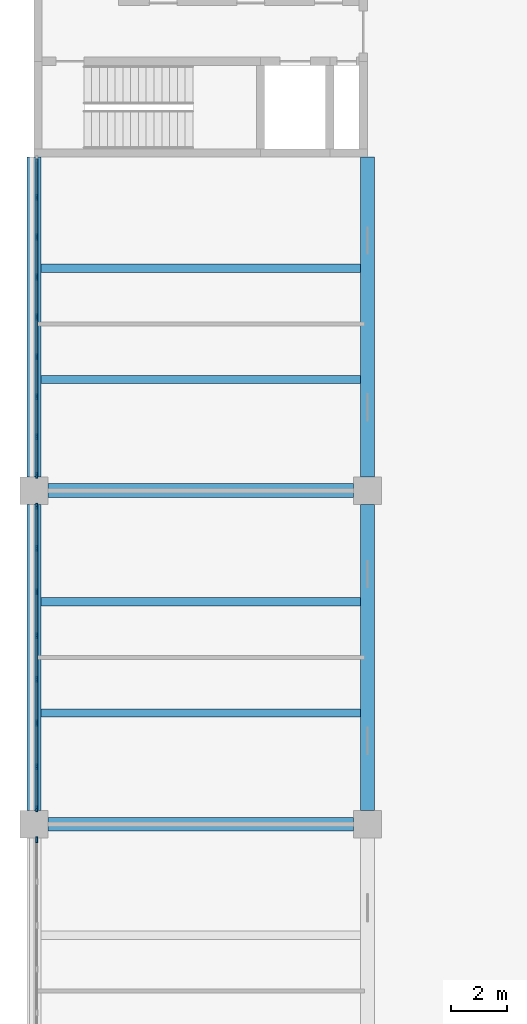
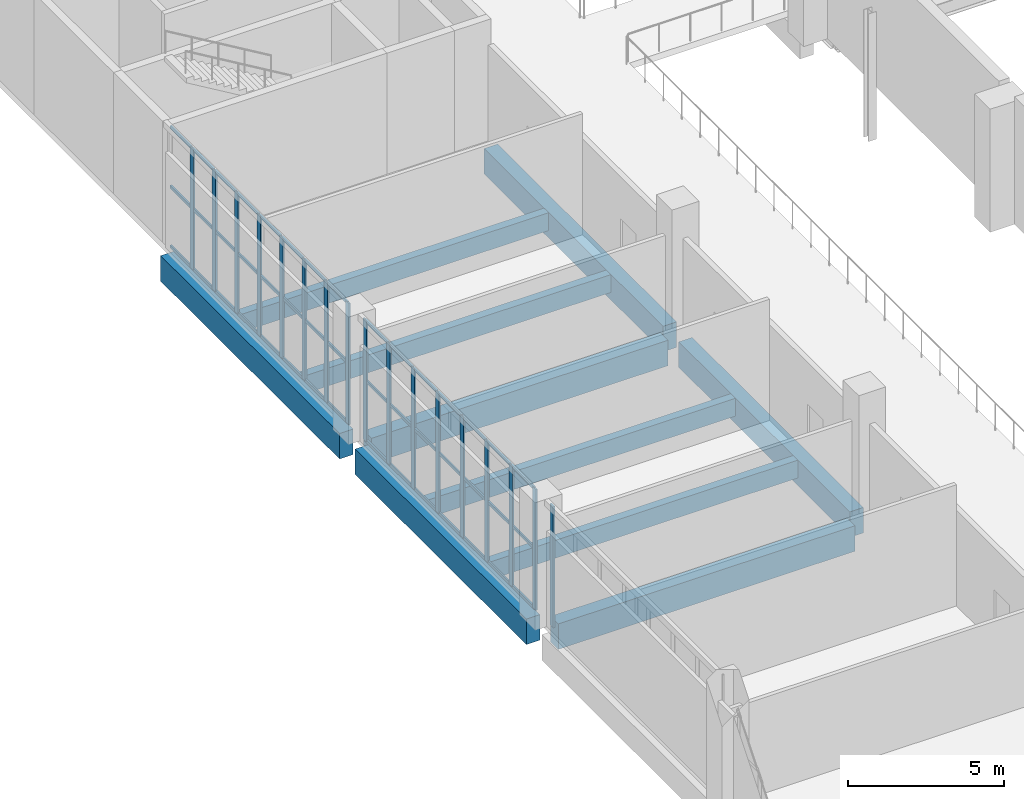
# One storey, part 21 of 69: 62 members, 10 beams, 3 elements without a shape of their own.
"""IFC4 building model written with IfcOpenShell, lengths in metres."""

import ifcopenshell
import ifcopenshell.guid

model = None  # the IFC model being written
_history = None  # IfcOwnerHistory: only IFC2X3 demands one
_inside = {}  # id of a spatial element -> (the spatial element, [elements in it])
_under = {}  # id of a project, library or spatial element -> (it, [spatial elements below it])
_declared = {}  # id of a project -> (the project, [libraries it declares])
_typed = {}  # id of a type object -> (the type object, [elements of that type])
_made_of = {}  # id of a material, layer set ... -> (it, [elements and type objects made of it])


def new_model(schema):
    """Start an empty IFC model of exactly this schema.

    Asked for "IFC4X3", IfcOpenShell would pick the latest addendum, in which some entities
    have other attributes; the version numbers below select the first issue.
    IFC2X3 requires an IfcOwnerHistory on every rooted entity: one is made here for all.
    """
    global model, _history
    if schema == "IFC4X3":
        model = ifcopenshell.file(schema_version=(4, 3, 0, 0))
    else:
        model = ifcopenshell.file(schema=schema)
    _inside.clear()
    _under.clear()
    _declared.clear()
    _typed.clear()
    _made_of.clear()
    _history = None
    if model.schema == "IFC2X3":
        org = make("IfcOrganization", Name="unknown")
        user = make(
            "IfcPersonAndOrganization",
            ThePerson=make("IfcPerson", FamilyName="unknown"),
            TheOrganization=org,
        )
        app = make(
            "IfcApplication",
            ApplicationDeveloper=org,
            Version="unknown",
            ApplicationFullName="unknown",
            ApplicationIdentifier="unknown",
        )
        _history = make(
            "IfcOwnerHistory",
            OwningUser=user,
            OwningApplication=app,
            ChangeAction="ADDED",
            CreationDate=0,
        )
    return model


def make(cls, **values):
    """One entity of the class cls with the attributes given. An attribute that is None is left unset."""
    return model.create_entity(
        cls, **{name: value for name, value in values.items() if value is not None}
    )


def rooted(cls, **values):
    """An entity with a GlobalId (a new one), such as an element, a storey or a relation."""
    return make(cls, GlobalId=ifcopenshell.guid.new(), OwnerHistory=_history, **values)


def si_unit(unit_type, name, prefix=None):
    """IfcSIUnit, for example si_unit("LENGTHUNIT", "METRE", prefix="MILLI")."""
    return make("IfcSIUnit", UnitType=unit_type, Prefix=prefix, Name=name)


def assignment(units):
    """IfcUnitAssignment: the units of a project."""
    return None if units is None else make("IfcUnitAssignment", Units=units)


def point(xyz):
    """IfcCartesianPoint."""
    return None if xyz is None else make("IfcCartesianPoint", Coordinates=xyz)


def direction(xyz):
    """IfcDirection."""
    return None if xyz is None else make("IfcDirection", DirectionRatios=xyz)


def frame(location, z_axis=None, x_axis=None):
    """IfcAxis2Placement3D, a coordinate frame: its origin and axes. An axis left out is left unset."""
    return make(
        "IfcAxis2Placement3D",
        Location=point(location),
        Axis=direction(z_axis),
        RefDirection=direction(x_axis),
    )


def frame_2d(location, x_axis=None):
    """IfcAxis2Placement2D, a coordinate frame in the plane: its origin and x axis."""
    return make(
        "IfcAxis2Placement2D", Location=point(location), RefDirection=direction(x_axis)
    )


def origin():
    """The frame at (0, 0, 0) with its axes left unset."""
    return frame((0.0, 0.0, 0.0))


def origin_2d():
    """The frame at (0, 0) in the plane with its x axis left unset."""
    return frame_2d((0.0, 0.0))


def place(relative_to, where):
    """IfcLocalPlacement: puts the frame where relative to a parent placement (None: the world)."""
    return make(
        "IfcLocalPlacement", PlacementRelTo=relative_to, RelativePlacement=where
    )


def context(
    kind, dimensions, precision=None, world=None, true_north=None, identifier=None
):
    """IfcGeometricRepresentationContext, for example the 3D "Model" context."""
    return make(
        "IfcGeometricRepresentationContext",
        ContextIdentifier=identifier,
        ContextType=kind,
        CoordinateSpaceDimension=dimensions,
        Precision=precision,
        WorldCoordinateSystem=world,
        TrueNorth=true_north,
    )


def subcontext(parent, identifier, kind, view, scale=None):
    """IfcGeometricRepresentationSubContext, for example "Body" below "Model"."""
    return make(
        "IfcGeometricRepresentationSubContext",
        ContextIdentifier=identifier,
        ContextType=kind,
        ParentContext=parent,
        TargetScale=scale,
        TargetView=view,
    )


def project(units=None, contexts=None):
    """IfcProject with its units and contexts."""
    return rooted(
        "IfcProject",
        Name="project",
        RepresentationContexts=contexts,
        UnitsInContext=assignment(units),
    )


def spatial(cls, under=None, at=None, **own):
    """A site, building, storey or space (cls), placed at a placement, below another one or the project."""
    s = rooted(cls, ObjectPlacement=at, **own)
    if under is not None:
        _under.setdefault(under.id(), (under, []))[1].append(s)
    return s


def profile(cls, at=None, kind="AREA", **sizes):
    """A parametric profile (cls). Its sizes go by their IFC names, for example OverallWidth=200.0."""
    return make(cls, ProfileType=kind, Position=at, **sizes)


def rectangle(**sizes):
    """IfcRectangleProfileDef."""
    return profile("IfcRectangleProfileDef", **sizes)


def extrude(swept, where, along, depth):
    """IfcExtrudedAreaSolid: the profile swept, set in the frame where, extruded along a direction by depth."""
    return make(
        "IfcExtrudedAreaSolid",
        SweptArea=swept,
        Position=where,
        ExtrudedDirection=direction(along),
        Depth=depth,
    )


def shape(context_of_items, identifier, shape_type, items):
    """IfcShapeRepresentation: the items that make up one representation, for example the "Body"."""
    return make(
        "IfcShapeRepresentation",
        ContextOfItems=context_of_items,
        RepresentationIdentifier=identifier,
        RepresentationType=shape_type,
        Items=items,
    )


def material(Name=None, Category=None):
    """IfcMaterial."""
    return make("IfcMaterial", Name=Name, Category=Category)


def layer(
    of_material, thickness, ventilated=None, Name=None, Category=None, Priority=None
):
    """IfcMaterialLayer: one layer of a wall or slab, of a material (None: an air gap)."""
    return make(
        "IfcMaterialLayer",
        Material=of_material,
        LayerThickness=thickness,
        IsVentilated=ventilated,
        Name=Name,
        Category=Category,
        Priority=Priority,
    )


def layer_set(layers, Name=None):
    """IfcMaterialLayerSet."""
    return make("IfcMaterialLayerSet", MaterialLayers=layers, LayerSetName=Name)


def material_profile(
    of_material, cross_section, Name=None, Category=None, Priority=None
):
    """IfcMaterialProfile: a cross section and its material."""
    return make(
        "IfcMaterialProfile",
        Name=Name,
        Material=of_material,
        Profile=cross_section,
        Priority=Priority,
        Category=Category,
    )


def profile_set(profiles, Name=None, composite=None):
    """IfcMaterialProfileSet."""
    return make(
        "IfcMaterialProfileSet",
        Name=Name,
        MaterialProfiles=profiles,
        CompositeProfile=composite,
    )


def made_of(thing, what):
    """Note that an element or type object is made of a material, layer set ...; save() writes the relation."""
    if what is not None:
        _made_of.setdefault(what.id(), (what, []))[1].append(thing)
    return thing


def type_object(cls, material=None, **own):
    """A type object (cls), such as IfcWallType, which elements share."""
    return made_of(rooted(cls, **own), material)


def element(
    cls,
    number,
    at=None,
    inside=None,
    cuts=None,
    type_object=None,
    material=None,
    context=None,
    identifier="Body",
    shape_type=None,
    held_by="IfcProductDefinitionShape",
    body=None,
    shapes=None,
    **own,
):
    """One element of the class cls, such as IfcWall. Its Tag is "e" and its number.

    at: its placement. inside: the storey or other place that contains it. cuts: it is an
    opening in that element (IfcRelVoidsElement). A single representation is given by context,
    identifier, shape_type and body (its items); several are given by shapes. held_by: the class
    of the entity that holds the representations. save() writes the other relations.
    """
    e = rooted(cls, Tag="e%d" % number, ObjectPlacement=at, **own)
    if body is not None:
        shapes = [shape(context, identifier, shape_type, body)]
    if shapes is not None:
        e.Representation = make(held_by, Representations=shapes)
    if inside is not None:
        _inside.setdefault(inside.id(), (inside, []))[1].append(e)
    if cuts is not None:
        rooted(
            "IfcRelVoidsElement", RelatingBuildingElement=cuts, RelatedOpeningElement=e
        )
    if type_object is not None:
        _typed.setdefault(type_object.id(), (type_object, []))[1].append(e)
    return made_of(e, material)


def aggregate(whole, parts):
    """IfcRelAggregates: a whole, such as a stair, and the parts it consists of."""
    return rooted("IfcRelAggregates", RelatingObject=whole, RelatedObjects=parts)


def save(model, path):
    """Write the relations noted so far, then the file.

    IfcRelAggregates (storeys below a building ...), IfcRelContainedInSpatialStructure (elements
    in a storey), IfcRelDefinesByType, IfcRelAssociatesMaterial and IfcRelDeclares: one each for
    every whole, place, type object, material and project.
    """
    for whole, parts in _under.values():
        aggregate(whole, parts)
    for where, things in _inside.values():
        rooted(
            "IfcRelContainedInSpatialStructure",
            RelatedElements=things,
            RelatingStructure=where,
        )
    for kind, things in _typed.values():
        rooted("IfcRelDefinesByType", RelatedObjects=things, RelatingType=kind)
    for what, things in _made_of.values():
        rooted("IfcRelAssociatesMaterial", RelatedObjects=things, RelatingMaterial=what)
    for by, libraries in _declared.values():
        rooted("IfcRelDeclares", RelatingContext=by, RelatedDefinitions=libraries)
    model.write(path)


model = new_model("IFC4")

# Units and contexts
model_context = context("Model", 3, precision=1e-05, world=origin(), true_north=direction((0.0, 1.0)))
body_context = subcontext(model_context, "Body", "Model", "MODEL_VIEW")
ifc_project = project(units=[si_unit("LENGTHUNIT", "METRE"), si_unit("AREAUNIT", "SQUARE_METRE"), si_unit("VOLUMEUNIT", "CUBIC_METRE"), si_unit("PLANEANGLEUNIT", "RADIAN"), si_unit("MASSUNIT", "GRAM", prefix="KILO")], contexts=[model_context])

# Site, building, storey
site_placement = place(None, origin())
site = spatial("IfcSite", under=ifc_project, at=site_placement, CompositionType="ELEMENT")
building_placement = place(site_placement, origin())
building = spatial("IfcBuilding", under=site, at=building_placement, Name="Lilac Gate Convention Centre", CompositionType="ELEMENT")
storey_placement = place(building_placement, frame((0.0, 0.0, 12.0)))
storey = spatial("IfcBuildingStorey", under=building, at=storey_placement, Name="L02", CompositionType="ELEMENT", Elevation=12.0)

# Curtain wall, members
ifc_material_1 = material(Name="Aluminium framed double glazing", Category="aluminium")
ifc_layer = layer(ifc_material_1, 0.199951171875)
ifc_layer_set = layer_set([ifc_layer], Name="Aluminium framed double glazing")
curtain_wall_type = type_object("IfcCurtainWallType", Name="Unitised curtain wall 1500", PredefinedType="NOTDEFINED", material=ifc_layer_set)
curtain_wall_1_placement = place(storey_placement, origin())
curtain_wall_1 = element("IfcCurtainWall", 1, at=curtain_wall_1_placement, inside=storey, type_object=curtain_wall_type, Name="Curtain wall PW L02 5", PredefinedType="NOTDEFINED")
ifc_material_2 = material(Name="Aluminium alloy 6063", Category="aluminium")
ifc_material_profile_1 = material_profile(ifc_material_2, rectangle(XDim=0.06005859375, YDim=0.219970703125, at=origin_2d()), Name="Curtain wall mullion 60 x 220")
ifc_profile_set_1 = profile_set([ifc_material_profile_1], Name="Aluminium alloy 6063")
member_type_1 = type_object("IfcMemberType", Name="Curtain wall mullion 60 x 220", PredefinedType="MULLION", material=ifc_profile_set_1)
member_1_placement = place(storey_placement, frame((6.10009765625, 148.5625, 0.0), z_axis=(0.0, 0.0, 1.0), x_axis=(1.0, 0.0, 0.0)))
member_1 = element("IfcMember", 2, at=member_1_placement, type_object=member_type_1, Name="CW mullion 2", PredefinedType="MULLION", context=body_context, shape_type="SweptSolid", body=[
    extrude(rectangle(XDim=0.06005859375, YDim=0.219970703125, at=origin_2d()), origin(), (0.0, 0.0, 1.0), 4.75),
])
member_2_placement = place(storey_placement, frame((6.10009765625, 147.125, 0.0), z_axis=(0.0, 0.0, 1.0), x_axis=(1.0, 0.0, 0.0)))
member_2 = element("IfcMember", 3, at=member_2_placement, type_object=member_type_1, Name="CW mullion 3", PredefinedType="MULLION", context=body_context, shape_type="SweptSolid", body=[
    extrude(rectangle(XDim=0.06005859375, YDim=0.219970703125, at=origin_2d()), origin(), (0.0, 0.0, 1.0), 4.75),
])
member_3_placement = place(storey_placement, frame((6.10009765625, 145.6875, 0.0), z_axis=(0.0, 0.0, 1.0), x_axis=(1.0, 0.0, 0.0)))
member_3 = element("IfcMember", 4, at=member_3_placement, type_object=member_type_1, Name="CW mullion 4", PredefinedType="MULLION", context=body_context, shape_type="SweptSolid", body=[
    extrude(rectangle(XDim=0.06005859375, YDim=0.219970703125, at=origin_2d()), origin(), (0.0, 0.0, 1.0), 4.75),
])
member_4_placement = place(storey_placement, frame((6.10009765625, 144.25, 0.0), z_axis=(0.0, 0.0, 1.0), x_axis=(1.0, 0.0, 0.0)))
member_4 = element("IfcMember", 5, at=member_4_placement, type_object=member_type_1, Name="CW mullion 5", PredefinedType="MULLION", context=body_context, shape_type="SweptSolid", body=[
    extrude(rectangle(XDim=0.06005859375, YDim=0.219970703125, at=origin_2d()), origin(), (0.0, 0.0, 1.0), 4.75),
])
member_5_placement = place(storey_placement, frame((6.10009765625, 142.8125, 0.0), z_axis=(0.0, 0.0, 1.0), x_axis=(1.0, 0.0, 0.0)))
member_5 = element("IfcMember", 6, at=member_5_placement, type_object=member_type_1, Name="CW mullion 6", PredefinedType="MULLION", context=body_context, shape_type="SweptSolid", body=[
    extrude(rectangle(XDim=0.06005859375, YDim=0.219970703125, at=origin_2d()), origin(), (0.0, 0.0, 1.0), 4.75),
])
member_6_placement = place(storey_placement, frame((6.10009765625, 141.375, 0.0), z_axis=(0.0, 0.0, 1.0), x_axis=(1.0, 0.0, 0.0)))
member_6 = element("IfcMember", 7, at=member_6_placement, type_object=member_type_1, Name="CW mullion 7", PredefinedType="MULLION", context=body_context, shape_type="SweptSolid", body=[
    extrude(rectangle(XDim=0.06005859375, YDim=0.219970703125, at=origin_2d()), origin(), (0.0, 0.0, 1.0), 4.75),
])
member_7_placement = place(storey_placement, frame((6.10009765625, 139.9375, 0.0), z_axis=(0.0, 0.0, 1.0), x_axis=(1.0, 0.0, 0.0)))
member_7 = element("IfcMember", 8, at=member_7_placement, type_object=member_type_1, Name="CW mullion 8", PredefinedType="MULLION", context=body_context, shape_type="SweptSolid", body=[
    extrude(rectangle(XDim=0.06005859375, YDim=0.219970703125, at=origin_2d()), origin(), (0.0, 0.0, 1.0), 4.75),
])
member_8_placement = place(storey_placement, frame((6.10009765625, 138.56005859375, 0.0), z_axis=(0.0, 0.0, 1.0), x_axis=(1.0, 0.0, 0.0)))
member_8 = element("IfcMember", 9, at=member_8_placement, type_object=member_type_1, Name="CW mullion 9", PredefinedType="MULLION", context=body_context, shape_type="SweptSolid", body=[
    extrude(rectangle(XDim=0.06005859375, YDim=0.219970703125, at=origin_2d()), origin(), (0.0, 0.0, 1.0), 4.75),
])

curtain_wall_2_placement = place(storey_placement, origin())
curtain_wall_2 = element("IfcCurtainWall", 10, at=curtain_wall_2_placement, inside=storey, type_object=curtain_wall_type, Name="Curtain wall PW L02 6", PredefinedType="NOTDEFINED")
member_9_placement = place(storey_placement, frame((6.10009765625, 137.43994140625, 0.0), z_axis=(0.0, 0.0, 1.0), x_axis=(1.0, 0.0, 0.0)))
member_9 = element("IfcMember", 11, at=member_9_placement, type_object=member_type_1, Name="CW mullion 1", PredefinedType="MULLION", context=body_context, shape_type="SweptSolid", body=[
    extrude(rectangle(XDim=0.06005859375, YDim=0.219970703125, at=origin_2d()), origin(), (0.0, 0.0, 1.0), 4.75),
])
member_10_placement = place(storey_placement, frame((6.10009765625, 135.928466796875, 0.0), z_axis=(0.0, 0.0, 1.0), x_axis=(1.0, 0.0, 0.0)))
member_10 = element("IfcMember", 12, at=member_10_placement, type_object=member_type_1, Name="CW mullion 2", PredefinedType="MULLION", context=body_context, shape_type="SweptSolid", body=[
    extrude(rectangle(XDim=0.06005859375, YDim=0.219970703125, at=origin_2d()), origin(), (0.0, 0.0, 1.0), 4.75),
])
member_11_placement = place(storey_placement, frame((6.10009765625, 134.357177734375, 0.0), z_axis=(0.0, 0.0, 1.0), x_axis=(1.0, 0.0, 0.0)))
member_11 = element("IfcMember", 13, at=member_11_placement, type_object=member_type_1, Name="CW mullion 3", PredefinedType="MULLION", context=body_context, shape_type="SweptSolid", body=[
    extrude(rectangle(XDim=0.06005859375, YDim=0.219970703125, at=origin_2d()), origin(), (0.0, 0.0, 1.0), 4.75),
])
member_12_placement = place(storey_placement, frame((6.10009765625, 132.78564453125, 0.0), z_axis=(0.0, 0.0, 1.0), x_axis=(1.0, 0.0, 0.0)))
member_12 = element("IfcMember", 14, at=member_12_placement, type_object=member_type_1, Name="CW mullion 4", PredefinedType="MULLION", context=body_context, shape_type="SweptSolid", body=[
    extrude(rectangle(XDim=0.06005859375, YDim=0.219970703125, at=origin_2d()), origin(), (0.0, 0.0, 1.0), 4.75),
])
member_13_placement = place(storey_placement, frame((6.10009765625, 131.21435546875, 0.0), z_axis=(0.0, 0.0, 1.0), x_axis=(1.0, 0.0, 0.0)))
member_13 = element("IfcMember", 15, at=member_13_placement, type_object=member_type_1, Name="CW mullion 5", PredefinedType="MULLION", context=body_context, shape_type="SweptSolid", body=[
    extrude(rectangle(XDim=0.06005859375, YDim=0.219970703125, at=origin_2d()), origin(), (0.0, 0.0, 1.0), 4.75),
])
member_14_placement = place(storey_placement, frame((6.10009765625, 129.642822265625, 0.0), z_axis=(0.0, 0.0, 1.0), x_axis=(1.0, 0.0, 0.0)))
member_14 = element("IfcMember", 16, at=member_14_placement, type_object=member_type_1, Name="CW mullion 6", PredefinedType="MULLION", context=body_context, shape_type="SweptSolid", body=[
    extrude(rectangle(XDim=0.06005859375, YDim=0.219970703125, at=origin_2d()), origin(), (0.0, 0.0, 1.0), 4.75),
])
member_15_placement = place(storey_placement, frame((6.10009765625, 128.071533203125, 0.0), z_axis=(0.0, 0.0, 1.0), x_axis=(1.0, 0.0, 0.0)))
member_15 = element("IfcMember", 17, at=member_15_placement, type_object=member_type_1, Name="CW mullion 7", PredefinedType="MULLION", context=body_context, shape_type="SweptSolid", body=[
    extrude(rectangle(XDim=0.06005859375, YDim=0.219970703125, at=origin_2d()), origin(), (0.0, 0.0, 1.0), 4.75),
])
member_16_placement = place(storey_placement, frame((6.10009765625, 126.56005859375, 0.0), z_axis=(0.0, 0.0, 1.0), x_axis=(1.0, 0.0, 0.0)))
member_16 = element("IfcMember", 18, at=member_16_placement, type_object=member_type_1, Name="CW mullion 8", PredefinedType="MULLION", context=body_context, shape_type="SweptSolid", body=[
    extrude(rectangle(XDim=0.06005859375, YDim=0.219970703125, at=origin_2d()), origin(), (0.0, 0.0, 1.0), 4.75),
])

# Curtain wall, member
curtain_wall_3_placement = place(storey_placement, origin())
curtain_wall_3 = element("IfcCurtainWall", 19, at=curtain_wall_3_placement, inside=storey, type_object=curtain_wall_type, Name="Curtain wall PW L02 7", PredefinedType="NOTDEFINED")
member_17_placement = place(storey_placement, frame((6.10009765625, 125.43994140625, 0.0), z_axis=(0.0, 0.0, 1.0), x_axis=(1.0, 0.0, 0.0)))
member_17 = element("IfcMember", 20, at=member_17_placement, type_object=member_type_1, Name="CW mullion 1", PredefinedType="MULLION", context=body_context, shape_type="SweptSolid", body=[
    extrude(rectangle(XDim=0.06005859375, YDim=0.219970703125, at=origin_2d()), origin(), (0.0, 0.0, 1.0), 4.75),
])
aggregate(curtain_wall_3, [member_17])

# Member
ifc_material_profile_2 = material_profile(ifc_material_2, rectangle(XDim=0.06005859375, YDim=0.1201171875, at=origin_2d()), Name="Curtain wall transom 60 x 120")
ifc_profile_set_2 = profile_set([ifc_material_profile_2], Name="Aluminium alloy 6063")
member_type_2 = type_object("IfcMemberType", Name="Curtain wall transom 60 x 120", PredefinedType="USERDEFINED", material=ifc_profile_set_2)
member_18_placement = place(storey_placement, frame((6.10009765625, 149.93994140625, 0.030029296875), z_axis=(0.0, -1.0, 0.0), x_axis=(1.0, 0.0, 0.0)))
member_18 = element("IfcMember", 21, at=member_18_placement, type_object=member_type_2, Name="CW transom 1.1", ObjectType="TRANSOM", PredefinedType="USERDEFINED", context=body_context, shape_type="SweptSolid", body=[
    extrude(rectangle(XDim=0.06005859375, YDim=0.1201171875, at=origin_2d()), origin(), (0.0, 0.0, 1.0), 1.347412109375),
])

member_19_placement = place(storey_placement, frame((6.10009765625, 149.93994140625, 2.375), z_axis=(0.0, -1.0, 0.0), x_axis=(1.0, 0.0, 0.0)))
member_19 = element("IfcMember", 22, at=member_19_placement, type_object=member_type_2, Name="CW transom 1.2", ObjectType="TRANSOM", PredefinedType="USERDEFINED", context=body_context, shape_type="SweptSolid", body=[
    extrude(rectangle(XDim=0.06005859375, YDim=0.1201171875, at=origin_2d()), origin(), (0.0, 0.0, 1.0), 1.347412109375),
])

member_20_placement = place(storey_placement, frame((6.10009765625, 149.93994140625, 4.719970703125), z_axis=(0.0, -1.0, 0.0), x_axis=(1.0, 0.0, 0.0)))
member_20 = element("IfcMember", 23, at=member_20_placement, type_object=member_type_2, Name="CW transom 1.3", ObjectType="TRANSOM", PredefinedType="USERDEFINED", context=body_context, shape_type="SweptSolid", body=[
    extrude(rectangle(XDim=0.06005859375, YDim=0.1201171875, at=origin_2d()), origin(), (0.0, 0.0, 1.0), 1.347412109375),
])

member_21_placement = place(storey_placement, frame((6.10009765625, 148.532470703125, 0.030029296875), z_axis=(0.0, -1.0, 0.0), x_axis=(1.0, 0.0, 0.0)))
member_21 = element("IfcMember", 24, at=member_21_placement, type_object=member_type_2, Name="CW transom 2.1", ObjectType="TRANSOM", PredefinedType="USERDEFINED", context=body_context, shape_type="SweptSolid", body=[
    extrude(rectangle(XDim=0.06005859375, YDim=0.1201171875, at=origin_2d()), origin(), (0.0, 0.0, 1.0), 1.37744140625),
])

member_22_placement = place(storey_placement, frame((6.10009765625, 148.532470703125, 2.375), z_axis=(0.0, -1.0, 0.0), x_axis=(1.0, 0.0, 0.0)))
member_22 = element("IfcMember", 25, at=member_22_placement, type_object=member_type_2, Name="CW transom 2.2", ObjectType="TRANSOM", PredefinedType="USERDEFINED", context=body_context, shape_type="SweptSolid", body=[
    extrude(rectangle(XDim=0.06005859375, YDim=0.1201171875, at=origin_2d()), origin(), (0.0, 0.0, 1.0), 1.37744140625),
])

member_23_placement = place(storey_placement, frame((6.10009765625, 148.532470703125, 4.719970703125), z_axis=(0.0, -1.0, 0.0), x_axis=(1.0, 0.0, 0.0)))
member_23 = element("IfcMember", 26, at=member_23_placement, type_object=member_type_2, Name="CW transom 2.3", ObjectType="TRANSOM", PredefinedType="USERDEFINED", context=body_context, shape_type="SweptSolid", body=[
    extrude(rectangle(XDim=0.06005859375, YDim=0.1201171875, at=origin_2d()), origin(), (0.0, 0.0, 1.0), 1.37744140625),
])

member_24_placement = place(storey_placement, frame((6.10009765625, 147.094970703125, 0.030029296875), z_axis=(0.0, -1.0, 0.0), x_axis=(1.0, 0.0, 0.0)))
member_24 = element("IfcMember", 27, at=member_24_placement, type_object=member_type_2, Name="CW transom 3.1", ObjectType="TRANSOM", PredefinedType="USERDEFINED", context=body_context, shape_type="SweptSolid", body=[
    extrude(rectangle(XDim=0.06005859375, YDim=0.1201171875, at=origin_2d()), origin(), (0.0, 0.0, 1.0), 1.37744140625),
])

member_25_placement = place(storey_placement, frame((6.10009765625, 147.094970703125, 2.375), z_axis=(0.0, -1.0, 0.0), x_axis=(1.0, 0.0, 0.0)))
member_25 = element("IfcMember", 28, at=member_25_placement, type_object=member_type_2, Name="CW transom 3.2", ObjectType="TRANSOM", PredefinedType="USERDEFINED", context=body_context, shape_type="SweptSolid", body=[
    extrude(rectangle(XDim=0.06005859375, YDim=0.1201171875, at=origin_2d()), origin(), (0.0, 0.0, 1.0), 1.37744140625),
])

member_26_placement = place(storey_placement, frame((6.10009765625, 147.094970703125, 4.719970703125), z_axis=(0.0, -1.0, 0.0), x_axis=(1.0, 0.0, 0.0)))
member_26 = element("IfcMember", 29, at=member_26_placement, type_object=member_type_2, Name="CW transom 3.3", ObjectType="TRANSOM", PredefinedType="USERDEFINED", context=body_context, shape_type="SweptSolid", body=[
    extrude(rectangle(XDim=0.06005859375, YDim=0.1201171875, at=origin_2d()), origin(), (0.0, 0.0, 1.0), 1.37744140625),
])

member_27_placement = place(storey_placement, frame((6.10009765625, 145.657470703125, 0.030029296875), z_axis=(0.0, -1.0, 0.0), x_axis=(1.0, 0.0, 0.0)))
member_27 = element("IfcMember", 30, at=member_27_placement, type_object=member_type_2, Name="CW transom 4.1", ObjectType="TRANSOM", PredefinedType="USERDEFINED", context=body_context, shape_type="SweptSolid", body=[
    extrude(rectangle(XDim=0.06005859375, YDim=0.1201171875, at=origin_2d()), origin(), (0.0, 0.0, 1.0), 1.37744140625),
])

member_28_placement = place(storey_placement, frame((6.10009765625, 145.657470703125, 2.375), z_axis=(0.0, -1.0, 0.0), x_axis=(1.0, 0.0, 0.0)))
member_28 = element("IfcMember", 31, at=member_28_placement, type_object=member_type_2, Name="CW transom 4.2", ObjectType="TRANSOM", PredefinedType="USERDEFINED", context=body_context, shape_type="SweptSolid", body=[
    extrude(rectangle(XDim=0.06005859375, YDim=0.1201171875, at=origin_2d()), origin(), (0.0, 0.0, 1.0), 1.37744140625),
])

member_29_placement = place(storey_placement, frame((6.10009765625, 145.657470703125, 4.719970703125), z_axis=(0.0, -1.0, 0.0), x_axis=(1.0, 0.0, 0.0)))
member_29 = element("IfcMember", 32, at=member_29_placement, type_object=member_type_2, Name="CW transom 4.3", ObjectType="TRANSOM", PredefinedType="USERDEFINED", context=body_context, shape_type="SweptSolid", body=[
    extrude(rectangle(XDim=0.06005859375, YDim=0.1201171875, at=origin_2d()), origin(), (0.0, 0.0, 1.0), 1.37744140625),
])

member_30_placement = place(storey_placement, frame((6.10009765625, 144.219970703125, 0.030029296875), z_axis=(0.0, -1.0, 0.0), x_axis=(1.0, 0.0, 0.0)))
member_30 = element("IfcMember", 33, at=member_30_placement, type_object=member_type_2, Name="CW transom 5.1", ObjectType="TRANSOM", PredefinedType="USERDEFINED", context=body_context, shape_type="SweptSolid", body=[
    extrude(rectangle(XDim=0.06005859375, YDim=0.1201171875, at=origin_2d()), origin(), (0.0, 0.0, 1.0), 1.37744140625),
])

member_31_placement = place(storey_placement, frame((6.10009765625, 144.219970703125, 2.375), z_axis=(0.0, -1.0, 0.0), x_axis=(1.0, 0.0, 0.0)))
member_31 = element("IfcMember", 34, at=member_31_placement, type_object=member_type_2, Name="CW transom 5.2", ObjectType="TRANSOM", PredefinedType="USERDEFINED", context=body_context, shape_type="SweptSolid", body=[
    extrude(rectangle(XDim=0.06005859375, YDim=0.1201171875, at=origin_2d()), origin(), (0.0, 0.0, 1.0), 1.37744140625),
])

member_32_placement = place(storey_placement, frame((6.10009765625, 144.219970703125, 4.719970703125), z_axis=(0.0, -1.0, 0.0), x_axis=(1.0, 0.0, 0.0)))
member_32 = element("IfcMember", 35, at=member_32_placement, type_object=member_type_2, Name="CW transom 5.3", ObjectType="TRANSOM", PredefinedType="USERDEFINED", context=body_context, shape_type="SweptSolid", body=[
    extrude(rectangle(XDim=0.06005859375, YDim=0.1201171875, at=origin_2d()), origin(), (0.0, 0.0, 1.0), 1.37744140625),
])

member_33_placement = place(storey_placement, frame((6.10009765625, 142.782470703125, 0.030029296875), z_axis=(0.0, -1.0, 0.0), x_axis=(1.0, 0.0, 0.0)))
member_33 = element("IfcMember", 36, at=member_33_placement, type_object=member_type_2, Name="CW transom 6.1", ObjectType="TRANSOM", PredefinedType="USERDEFINED", context=body_context, shape_type="SweptSolid", body=[
    extrude(rectangle(XDim=0.06005859375, YDim=0.1201171875, at=origin_2d()), origin(), (0.0, 0.0, 1.0), 1.37744140625),
])

member_34_placement = place(storey_placement, frame((6.10009765625, 142.782470703125, 2.375), z_axis=(0.0, -1.0, 0.0), x_axis=(1.0, 0.0, 0.0)))
member_34 = element("IfcMember", 37, at=member_34_placement, type_object=member_type_2, Name="CW transom 6.2", ObjectType="TRANSOM", PredefinedType="USERDEFINED", context=body_context, shape_type="SweptSolid", body=[
    extrude(rectangle(XDim=0.06005859375, YDim=0.1201171875, at=origin_2d()), origin(), (0.0, 0.0, 1.0), 1.37744140625),
])

member_35_placement = place(storey_placement, frame((6.10009765625, 142.782470703125, 4.719970703125), z_axis=(0.0, -1.0, 0.0), x_axis=(1.0, 0.0, 0.0)))
member_35 = element("IfcMember", 38, at=member_35_placement, type_object=member_type_2, Name="CW transom 6.3", ObjectType="TRANSOM", PredefinedType="USERDEFINED", context=body_context, shape_type="SweptSolid", body=[
    extrude(rectangle(XDim=0.06005859375, YDim=0.1201171875, at=origin_2d()), origin(), (0.0, 0.0, 1.0), 1.37744140625),
])

member_36_placement = place(storey_placement, frame((6.10009765625, 141.344970703125, 0.030029296875), z_axis=(0.0, -1.0, 0.0), x_axis=(1.0, 0.0, 0.0)))
member_36 = element("IfcMember", 39, at=member_36_placement, type_object=member_type_2, Name="CW transom 7.1", ObjectType="TRANSOM", PredefinedType="USERDEFINED", context=body_context, shape_type="SweptSolid", body=[
    extrude(rectangle(XDim=0.06005859375, YDim=0.1201171875, at=origin_2d()), origin(), (0.0, 0.0, 1.0), 1.37744140625),
])

member_37_placement = place(storey_placement, frame((6.10009765625, 141.344970703125, 2.375), z_axis=(0.0, -1.0, 0.0), x_axis=(1.0, 0.0, 0.0)))
member_37 = element("IfcMember", 40, at=member_37_placement, type_object=member_type_2, Name="CW transom 7.2", ObjectType="TRANSOM", PredefinedType="USERDEFINED", context=body_context, shape_type="SweptSolid", body=[
    extrude(rectangle(XDim=0.06005859375, YDim=0.1201171875, at=origin_2d()), origin(), (0.0, 0.0, 1.0), 1.37744140625),
])

member_38_placement = place(storey_placement, frame((6.10009765625, 141.344970703125, 4.719970703125), z_axis=(0.0, -1.0, 0.0), x_axis=(1.0, 0.0, 0.0)))
member_38 = element("IfcMember", 41, at=member_38_placement, type_object=member_type_2, Name="CW transom 7.3", ObjectType="TRANSOM", PredefinedType="USERDEFINED", context=body_context, shape_type="SweptSolid", body=[
    extrude(rectangle(XDim=0.06005859375, YDim=0.1201171875, at=origin_2d()), origin(), (0.0, 0.0, 1.0), 1.37744140625),
])

member_39_placement = place(storey_placement, frame((6.10009765625, 139.907470703125, 0.030029296875), z_axis=(0.0, -1.0, 0.0), x_axis=(1.0, 0.0, 0.0)))
member_39 = element("IfcMember", 42, at=member_39_placement, type_object=member_type_2, Name="CW transom 8.1", ObjectType="TRANSOM", PredefinedType="USERDEFINED", context=body_context, shape_type="SweptSolid", body=[
    extrude(rectangle(XDim=0.06005859375, YDim=0.1201171875, at=origin_2d()), origin(), (0.0, 0.0, 1.0), 1.347412109375),
])

member_40_placement = place(storey_placement, frame((6.10009765625, 139.907470703125, 2.375), z_axis=(0.0, -1.0, 0.0), x_axis=(1.0, 0.0, 0.0)))
member_40 = element("IfcMember", 43, at=member_40_placement, type_object=member_type_2, Name="CW transom 8.2", ObjectType="TRANSOM", PredefinedType="USERDEFINED", context=body_context, shape_type="SweptSolid", body=[
    extrude(rectangle(XDim=0.06005859375, YDim=0.1201171875, at=origin_2d()), origin(), (0.0, 0.0, 1.0), 1.347412109375),
])

member_41_placement = place(storey_placement, frame((6.10009765625, 139.907470703125, 4.719970703125), z_axis=(0.0, -1.0, 0.0), x_axis=(1.0, 0.0, 0.0)))
member_41 = element("IfcMember", 44, at=member_41_placement, type_object=member_type_2, Name="CW transom 8.3", ObjectType="TRANSOM", PredefinedType="USERDEFINED", context=body_context, shape_type="SweptSolid", body=[
    extrude(rectangle(XDim=0.06005859375, YDim=0.1201171875, at=origin_2d()), origin(), (0.0, 0.0, 1.0), 1.347412109375),
])

aggregate(curtain_wall_1, [member_1, member_2, member_3, member_4, member_5, member_6, member_7, member_8, member_18, member_19, member_20, member_21, member_22, member_23, member_24, member_25, member_26, member_27, member_28, member_29, member_30, member_31, member_32, member_33, member_34, member_35, member_36, member_37, member_38, member_39, member_40, member_41])

member_42_placement = place(storey_placement, frame((6.10009765625, 137.43994140625, 0.030029296875), z_axis=(0.0, -1.0, 0.0), x_axis=(1.0, 0.0, 0.0)))
member_42 = element("IfcMember", 45, at=member_42_placement, type_object=member_type_2, Name="CW transom 1.1", ObjectType="TRANSOM", PredefinedType="USERDEFINED", context=body_context, shape_type="SweptSolid", body=[
    extrude(rectangle(XDim=0.06005859375, YDim=0.1201171875, at=origin_2d()), origin(), (0.0, 0.0, 1.0), 1.4814453125),
])

member_43_placement = place(storey_placement, frame((6.10009765625, 137.43994140625, 2.375), z_axis=(0.0, -1.0, 0.0), x_axis=(1.0, 0.0, 0.0)))
member_43 = element("IfcMember", 46, at=member_43_placement, type_object=member_type_2, Name="CW transom 1.2", ObjectType="TRANSOM", PredefinedType="USERDEFINED", context=body_context, shape_type="SweptSolid", body=[
    extrude(rectangle(XDim=0.06005859375, YDim=0.1201171875, at=origin_2d()), origin(), (0.0, 0.0, 1.0), 1.4814453125),
])

member_44_placement = place(storey_placement, frame((6.10009765625, 137.43994140625, 4.719970703125), z_axis=(0.0, -1.0, 0.0), x_axis=(1.0, 0.0, 0.0)))
member_44 = element("IfcMember", 47, at=member_44_placement, type_object=member_type_2, Name="CW transom 1.3", ObjectType="TRANSOM", PredefinedType="USERDEFINED", context=body_context, shape_type="SweptSolid", body=[
    extrude(rectangle(XDim=0.06005859375, YDim=0.1201171875, at=origin_2d()), origin(), (0.0, 0.0, 1.0), 1.4814453125),
])

member_45_placement = place(storey_placement, frame((6.10009765625, 135.898681640625, 0.030029296875), z_axis=(0.0, -1.0, 0.0), x_axis=(1.0, 0.0, 0.0)))
member_45 = element("IfcMember", 48, at=member_45_placement, type_object=member_type_2, Name="CW transom 2.1", ObjectType="TRANSOM", PredefinedType="USERDEFINED", context=body_context, shape_type="SweptSolid", body=[
    extrude(rectangle(XDim=0.06005859375, YDim=0.1201171875, at=origin_2d()), origin(), (0.0, 0.0, 1.0), 1.511474609375),
])

member_46_placement = place(storey_placement, frame((6.10009765625, 135.898681640625, 2.375), z_axis=(0.0, -1.0, 0.0), x_axis=(1.0, 0.0, 0.0)))
member_46 = element("IfcMember", 49, at=member_46_placement, type_object=member_type_2, Name="CW transom 2.2", ObjectType="TRANSOM", PredefinedType="USERDEFINED", context=body_context, shape_type="SweptSolid", body=[
    extrude(rectangle(XDim=0.06005859375, YDim=0.1201171875, at=origin_2d()), origin(), (0.0, 0.0, 1.0), 1.511474609375),
])

member_47_placement = place(storey_placement, frame((6.10009765625, 135.898681640625, 4.719970703125), z_axis=(0.0, -1.0, 0.0), x_axis=(1.0, 0.0, 0.0)))
member_47 = element("IfcMember", 50, at=member_47_placement, type_object=member_type_2, Name="CW transom 2.3", ObjectType="TRANSOM", PredefinedType="USERDEFINED", context=body_context, shape_type="SweptSolid", body=[
    extrude(rectangle(XDim=0.06005859375, YDim=0.1201171875, at=origin_2d()), origin(), (0.0, 0.0, 1.0), 1.511474609375),
])

member_48_placement = place(storey_placement, frame((6.10009765625, 134.3271484375, 0.030029296875), z_axis=(0.0, -1.0, 0.0), x_axis=(1.0, 0.0, 0.0)))
member_48 = element("IfcMember", 51, at=member_48_placement, type_object=member_type_2, Name="CW transom 3.1", ObjectType="TRANSOM", PredefinedType="USERDEFINED", context=body_context, shape_type="SweptSolid", body=[
    extrude(rectangle(XDim=0.06005859375, YDim=0.1201171875, at=origin_2d()), origin(), (0.0, 0.0, 1.0), 1.511474609375),
])

member_49_placement = place(storey_placement, frame((6.10009765625, 134.3271484375, 2.375), z_axis=(0.0, -1.0, 0.0), x_axis=(1.0, 0.0, 0.0)))
member_49 = element("IfcMember", 52, at=member_49_placement, type_object=member_type_2, Name="CW transom 3.2", ObjectType="TRANSOM", PredefinedType="USERDEFINED", context=body_context, shape_type="SweptSolid", body=[
    extrude(rectangle(XDim=0.06005859375, YDim=0.1201171875, at=origin_2d()), origin(), (0.0, 0.0, 1.0), 1.511474609375),
])

member_50_placement = place(storey_placement, frame((6.10009765625, 134.3271484375, 4.719970703125), z_axis=(0.0, -1.0, 0.0), x_axis=(1.0, 0.0, 0.0)))
member_50 = element("IfcMember", 53, at=member_50_placement, type_object=member_type_2, Name="CW transom 3.3", ObjectType="TRANSOM", PredefinedType="USERDEFINED", context=body_context, shape_type="SweptSolid", body=[
    extrude(rectangle(XDim=0.06005859375, YDim=0.1201171875, at=origin_2d()), origin(), (0.0, 0.0, 1.0), 1.511474609375),
])

member_51_placement = place(storey_placement, frame((6.10009765625, 132.755615234375, 0.030029296875), z_axis=(0.0, -1.0, 0.0), x_axis=(1.0, 0.0, 0.0)))
member_51 = element("IfcMember", 54, at=member_51_placement, type_object=member_type_2, Name="CW transom 4.1", ObjectType="TRANSOM", PredefinedType="USERDEFINED", context=body_context, shape_type="SweptSolid", body=[
    extrude(rectangle(XDim=0.06005859375, YDim=0.1201171875, at=origin_2d()), origin(), (0.0, 0.0, 1.0), 1.51123046875),
])

member_52_placement = place(storey_placement, frame((6.10009765625, 132.755615234375, 2.375), z_axis=(0.0, -1.0, 0.0), x_axis=(1.0, 0.0, 0.0)))
member_52 = element("IfcMember", 55, at=member_52_placement, type_object=member_type_2, Name="CW transom 4.2", ObjectType="TRANSOM", PredefinedType="USERDEFINED", context=body_context, shape_type="SweptSolid", body=[
    extrude(rectangle(XDim=0.06005859375, YDim=0.1201171875, at=origin_2d()), origin(), (0.0, 0.0, 1.0), 1.51123046875),
])

member_53_placement = place(storey_placement, frame((6.10009765625, 132.755615234375, 4.719970703125), z_axis=(0.0, -1.0, 0.0), x_axis=(1.0, 0.0, 0.0)))
member_53 = element("IfcMember", 56, at=member_53_placement, type_object=member_type_2, Name="CW transom 4.3", ObjectType="TRANSOM", PredefinedType="USERDEFINED", context=body_context, shape_type="SweptSolid", body=[
    extrude(rectangle(XDim=0.06005859375, YDim=0.1201171875, at=origin_2d()), origin(), (0.0, 0.0, 1.0), 1.51123046875),
])

member_54_placement = place(storey_placement, frame((6.10009765625, 131.184326171875, 0.030029296875), z_axis=(0.0, -1.0, 0.0), x_axis=(1.0, 0.0, 0.0)))
member_54 = element("IfcMember", 57, at=member_54_placement, type_object=member_type_2, Name="CW transom 5.1", ObjectType="TRANSOM", PredefinedType="USERDEFINED", context=body_context, shape_type="SweptSolid", body=[
    extrude(rectangle(XDim=0.06005859375, YDim=0.1201171875, at=origin_2d()), origin(), (0.0, 0.0, 1.0), 1.511474609375),
])

member_55_placement = place(storey_placement, frame((6.10009765625, 131.184326171875, 2.375), z_axis=(0.0, -1.0, 0.0), x_axis=(1.0, 0.0, 0.0)))
member_55 = element("IfcMember", 58, at=member_55_placement, type_object=member_type_2, Name="CW transom 5.2", ObjectType="TRANSOM", PredefinedType="USERDEFINED", context=body_context, shape_type="SweptSolid", body=[
    extrude(rectangle(XDim=0.06005859375, YDim=0.1201171875, at=origin_2d()), origin(), (0.0, 0.0, 1.0), 1.511474609375),
])

member_56_placement = place(storey_placement, frame((6.10009765625, 131.184326171875, 4.719970703125), z_axis=(0.0, -1.0, 0.0), x_axis=(1.0, 0.0, 0.0)))
member_56 = element("IfcMember", 59, at=member_56_placement, type_object=member_type_2, Name="CW transom 5.3", ObjectType="TRANSOM", PredefinedType="USERDEFINED", context=body_context, shape_type="SweptSolid", body=[
    extrude(rectangle(XDim=0.06005859375, YDim=0.1201171875, at=origin_2d()), origin(), (0.0, 0.0, 1.0), 1.511474609375),
])

member_57_placement = place(storey_placement, frame((6.10009765625, 129.61279296875, 0.030029296875), z_axis=(0.0, -1.0, 0.0), x_axis=(1.0, 0.0, 0.0)))
member_57 = element("IfcMember", 60, at=member_57_placement, type_object=member_type_2, Name="CW transom 6.1", ObjectType="TRANSOM", PredefinedType="USERDEFINED", context=body_context, shape_type="SweptSolid", body=[
    extrude(rectangle(XDim=0.06005859375, YDim=0.1201171875, at=origin_2d()), origin(), (0.0, 0.0, 1.0), 1.511474609375),
])

member_58_placement = place(storey_placement, frame((6.10009765625, 129.61279296875, 2.375), z_axis=(0.0, -1.0, 0.0), x_axis=(1.0, 0.0, 0.0)))
member_58 = element("IfcMember", 61, at=member_58_placement, type_object=member_type_2, Name="CW transom 6.2", ObjectType="TRANSOM", PredefinedType="USERDEFINED", context=body_context, shape_type="SweptSolid", body=[
    extrude(rectangle(XDim=0.06005859375, YDim=0.1201171875, at=origin_2d()), origin(), (0.0, 0.0, 1.0), 1.511474609375),
])

member_59_placement = place(storey_placement, frame((6.10009765625, 129.61279296875, 4.719970703125), z_axis=(0.0, -1.0, 0.0), x_axis=(1.0, 0.0, 0.0)))
member_59 = element("IfcMember", 62, at=member_59_placement, type_object=member_type_2, Name="CW transom 6.3", ObjectType="TRANSOM", PredefinedType="USERDEFINED", context=body_context, shape_type="SweptSolid", body=[
    extrude(rectangle(XDim=0.06005859375, YDim=0.1201171875, at=origin_2d()), origin(), (0.0, 0.0, 1.0), 1.511474609375),
])

member_60_placement = place(storey_placement, frame((6.10009765625, 128.04150390625, 0.030029296875), z_axis=(0.0, -1.0, 0.0), x_axis=(1.0, 0.0, 0.0)))
member_60 = element("IfcMember", 63, at=member_60_placement, type_object=member_type_2, Name="CW transom 7.1", ObjectType="TRANSOM", PredefinedType="USERDEFINED", context=body_context, shape_type="SweptSolid", body=[
    extrude(rectangle(XDim=0.06005859375, YDim=0.1201171875, at=origin_2d()), origin(), (0.0, 0.0, 1.0), 1.4814453125),
])

member_61_placement = place(storey_placement, frame((6.10009765625, 128.04150390625, 2.375), z_axis=(0.0, -1.0, 0.0), x_axis=(1.0, 0.0, 0.0)))
member_61 = element("IfcMember", 64, at=member_61_placement, type_object=member_type_2, Name="CW transom 7.2", ObjectType="TRANSOM", PredefinedType="USERDEFINED", context=body_context, shape_type="SweptSolid", body=[
    extrude(rectangle(XDim=0.06005859375, YDim=0.1201171875, at=origin_2d()), origin(), (0.0, 0.0, 1.0), 1.4814453125),
])

member_62_placement = place(storey_placement, frame((6.10009765625, 128.04150390625, 4.719970703125), z_axis=(0.0, -1.0, 0.0), x_axis=(1.0, 0.0, 0.0)))
member_62 = element("IfcMember", 65, at=member_62_placement, type_object=member_type_2, Name="CW transom 7.3", ObjectType="TRANSOM", PredefinedType="USERDEFINED", context=body_context, shape_type="SweptSolid", body=[
    extrude(rectangle(XDim=0.06005859375, YDim=0.1201171875, at=origin_2d()), origin(), (0.0, 0.0, 1.0), 1.4814453125),
])

aggregate(curtain_wall_2, [member_9, member_10, member_11, member_12, member_13, member_14, member_15, member_16, member_42, member_43, member_44, member_45, member_46, member_47, member_48, member_49, member_50, member_51, member_52, member_53, member_54, member_55, member_56, member_57, member_58, member_59, member_60, member_61, member_62])

# Beams
ifc_material_3 = material(Name="Concrete C40", Category="concrete")
ifc_material_profile_3 = material_profile(ifc_material_3, rectangle(XDim=0.5, YDim=1.0, at=origin_2d()), Name="RC 500x1000")
ifc_profile_set_3 = profile_set([ifc_material_profile_3], Name="Concrete C40")
beam_type_1 = type_object("IfcBeamType", Name="Primary beam 500x1000 C40", PredefinedType="BEAM", material=ifc_profile_set_3)
for number, where, z_axis, x_axis, name in (
    (66, (6.5, 126.0, -0.75), (1.0, 0.0, 0.0), (0.0, 1.0, 0.0), "RB1 L02 1/J-2/J"),
    (67, (6.5, 138.0, -0.75), (1.0, 0.0, 0.0), (0.0, 1.0, 0.0), "RB1 L02 1/K-2/K"),
    (68, (6.0, 126.5, -0.75), (0.0, 1.0, 0.0), (-1.0, 0.0, 0.0), "RB1 L02 1/J-1/K"),
):
    element("IfcBeam", number, at=place(storey_placement, frame(where, z_axis=z_axis, x_axis=x_axis)), inside=storey, type_object=beam_type_1, Name=name, PredefinedType="BEAM", context=body_context, shape_type="SweptSolid", body=[
        extrude(rectangle(XDim=0.5, YDim=1.0, at=origin_2d()), origin(), (0.0, 0.0, 1.0), 11.0),
    ])
beam_1_placement = place(storey_placement, frame((6.0, 138.5, -0.75), z_axis=(0.0, 1.0, 0.0), x_axis=(-1.0, 0.0, 0.0)))
element("IfcBeam", 69, at=beam_1_placement, inside=storey, type_object=beam_type_1, Name="RB1 L02 1/K-1/L", PredefinedType="BEAM", context=body_context, shape_type="SweptSolid", body=[
    extrude(rectangle(XDim=0.5, YDim=1.0, at=origin_2d()), origin(), (0.0, 0.0, 1.0), 11.5),
])
beam_2_placement = place(storey_placement, frame((18.0, 126.5, -0.75), z_axis=(0.0, 1.0, 0.0), x_axis=(-1.0, 0.0, 0.0)))
element("IfcBeam", 70, at=beam_2_placement, inside=storey, type_object=beam_type_1, Name="RB1 L02 2/J-2/K", PredefinedType="BEAM", context=body_context, shape_type="SweptSolid", body=[
    extrude(rectangle(XDim=0.5, YDim=1.0, at=origin_2d()), origin(), (0.0, 0.0, 1.0), 11.0),
])
beam_3_placement = place(storey_placement, frame((18.0, 138.5, -0.75), z_axis=(0.0, 1.0, 0.0), x_axis=(-1.0, 0.0, 0.0)))
element("IfcBeam", 71, at=beam_3_placement, inside=storey, type_object=beam_type_1, Name="RB1 L02 2/K-2/L", PredefinedType="BEAM", context=body_context, shape_type="SweptSolid", body=[
    extrude(rectangle(XDim=0.5, YDim=1.0, at=origin_2d()), origin(), (0.0, 0.0, 1.0), 11.5),
])
ifc_material_profile_4 = material_profile(ifc_material_3, rectangle(XDim=0.300048828125, YDim=0.699951171875, at=origin_2d()), Name="RC 300x700")
ifc_profile_set_4 = profile_set([ifc_material_profile_4], Name="Concrete C40")
beam_type_2 = type_object("IfcBeamType", Name="Secondary beam 300x700 C40", PredefinedType="BEAM", material=ifc_profile_set_4)
for number, where, z_axis, x_axis, name in (
    (72, (6.25, 130.0, -0.60009765625), (1.0, 0.0, 0.0), (0.0, 1.0, 0.0), "RB2 L02 bay 1/J"),
    (73, (6.25, 134.0, -0.60009765625), (1.0, 0.0, 0.0), (0.0, 1.0, 0.0), "RB2 L02 bay 1/J"),
    (74, (6.25, 142.0, -0.60009765625), (1.0, 0.0, 0.0), (0.0, 1.0, 0.0), "RB2 L02 bay 1/K"),
    (75, (6.25, 146.0, -0.60009765625), (1.0, 0.0, 0.0), (0.0, 1.0, 0.0), "RB2 L02 bay 1/K"),
):
    element("IfcBeam", number, at=place(storey_placement, frame(where, z_axis=z_axis, x_axis=x_axis)), inside=storey, type_object=beam_type_2, Name=name, PredefinedType="BEAM", context=body_context, shape_type="SweptSolid", body=[
        extrude(rectangle(XDim=0.300048828125, YDim=0.699951171875, at=origin_2d()), origin(), (0.0, 0.0, 1.0), 11.5),
    ])

save(model, "model.ifc")
